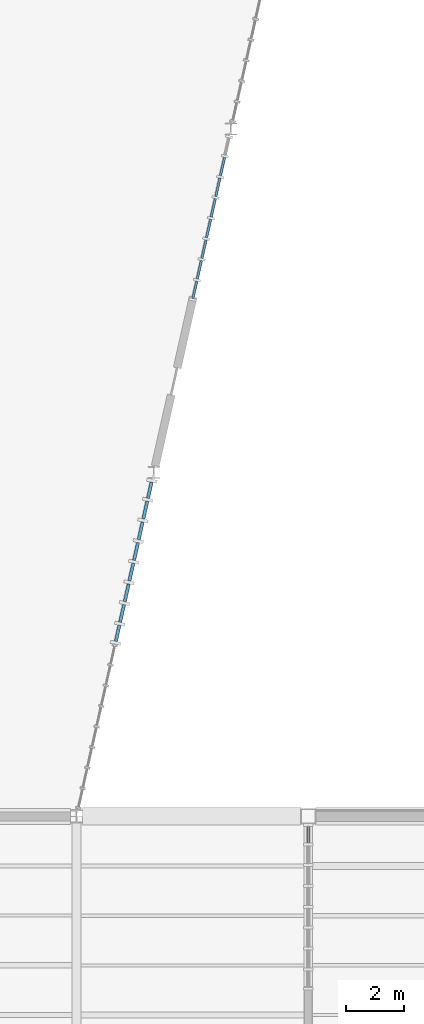
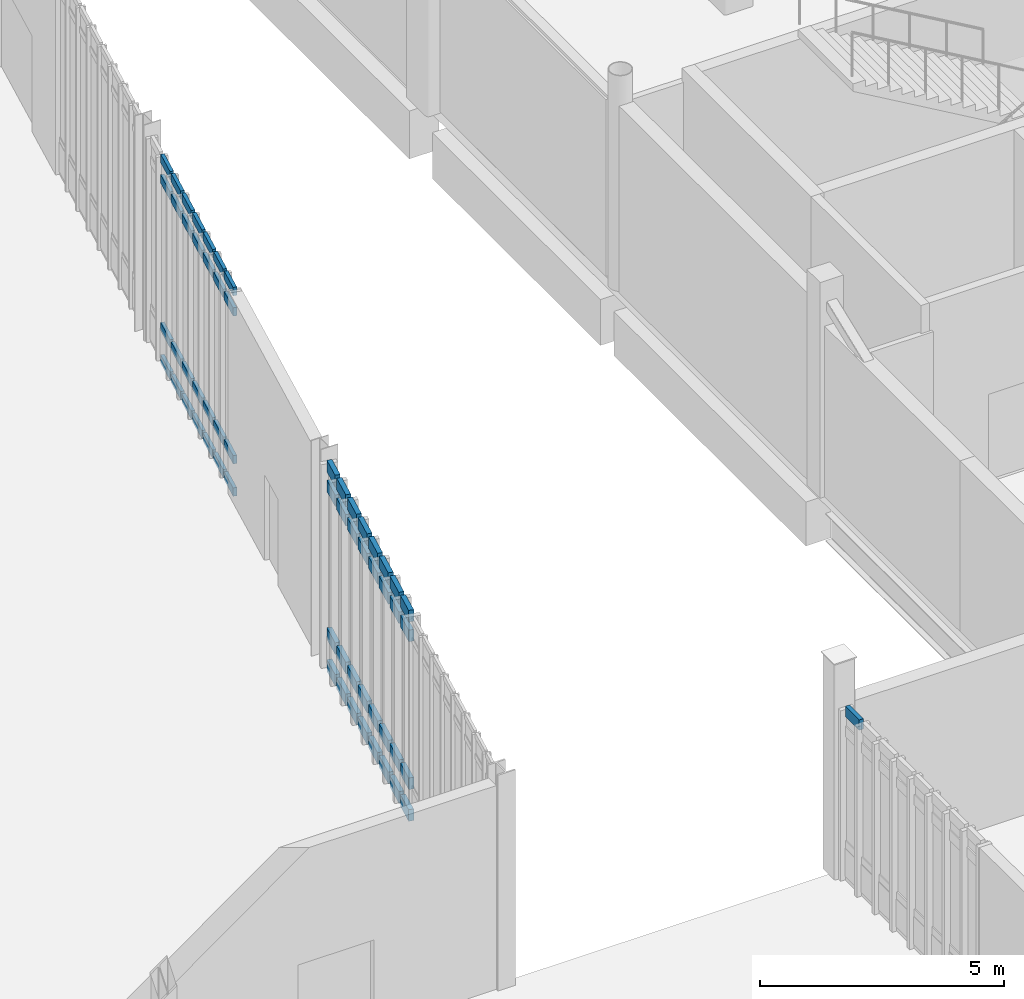
# One storey, part 46 of 111: 61 members, 3 elements without a shape of their own.
"""IFC4 building model written with IfcOpenShell, lengths in metres."""

from ifc_helpers import new_model, si_unit, direction, frame, origin, origin_2d, place, context, subcontext, project, spatial, rectangle, extrude, material, material_profile, profile_set, type_object, element, aggregate, save


model = new_model("IFC4")

# Units and contexts
model_context = context("Model", 3, precision=1e-05, world=origin(), true_north=direction((0.0, 1.0)))
body_context = subcontext(model_context, "Body", "Model", "MODEL_VIEW")
ifc_project = project(units=[si_unit("LENGTHUNIT", "METRE"), si_unit("AREAUNIT", "SQUARE_METRE"), si_unit("VOLUMEUNIT", "CUBIC_METRE"), si_unit("PLANEANGLEUNIT", "RADIAN"), si_unit("MASSUNIT", "GRAM", prefix="KILO")], contexts=[model_context])

# Site, building, storey
site_placement = place(None, origin())
site = spatial("IfcSite", under=ifc_project, at=site_placement, CompositionType="ELEMENT")
building_placement = place(site_placement, origin())
building = spatial("IfcBuilding", under=site, at=building_placement, Name="Larkvane Passage Sports Hall", CompositionType="ELEMENT")
storey_placement = place(building_placement, origin())
storey = spatial("IfcBuildingStorey", under=building, at=storey_placement, Name="L00", CompositionType="ELEMENT", Elevation=0.0)

# Curtain wall, member
ifc_material_1 = material(Name="Thermally broken aluminium and low-E glazing", Category="aluminium")
curtain_wall_type_1 = type_object("IfcCurtainWallType", Name="CW-CLINIC", PredefinedType="USERDEFINED", material=ifc_material_1)
curtain_wall_1_placement = place(storey_placement, origin())
curtain_wall_1 = element("IfcCurtainWall", 1, at=curtain_wall_1_placement, inside=storey, type_object=curtain_wall_type_1, Name="Curtain wall CW5-L00-019", ObjectType="UNITISED CURTAIN WALL", PredefinedType="USERDEFINED")
ifc_material_2 = material(Name="Anodised aluminium 6063-T6", Category="aluminium")
ifc_material_profile_1 = material_profile(ifc_material_2, rectangle(XDim=0.10009765625, YDim=0.260009765625, at=origin_2d()), Name="ALU-TRN-100x260")
ifc_profile_set_1 = profile_set([ifc_material_profile_1], Name="Anodised aluminium 6063-T6")
member_type_1 = type_object("IfcMemberType", Name="CW-TRN-100x260", PredefinedType="USERDEFINED", material=ifc_profile_set_1)
member_1_placement = place(storey_placement, frame((118.0, 62.684814453125, 4.218017578125), z_axis=(0.0, 1.0, 0.0), x_axis=(-1.0, 0.0, 0.0)))
member_1 = element("IfcMember", 2, at=member_1_placement, type_object=member_type_1, Name="CW-05 transom 8.4", ObjectType="TRANSOM", PredefinedType="USERDEFINED", context=body_context, shape_type="SweptSolid", body=[
    extrude(rectangle(XDim=0.10009765625, YDim=0.260009765625, at=origin_2d()), origin(), (0.0, 0.0, 1.0), 0.569091796875),
])
aggregate(curtain_wall_1, [member_1])

# Curtain wall, members
curtain_wall_2_placement = place(storey_placement, origin())
curtain_wall_2 = element("IfcCurtainWall", 3, at=curtain_wall_2_placement, inside=storey, type_object=curtain_wall_type_1, Name="Curtain wall CW5-L00-015", ObjectType="UNITISED CURTAIN WALL", PredefinedType="USERDEFINED")
ifc_material_profile_2 = material_profile(ifc_material_2, rectangle(XDim=0.110107421875, YDim=0.2900390625, at=origin_2d()), Name="ALU-TRN-110x290")
ifc_profile_set_2 = profile_set([ifc_material_profile_2], Name="Anodised aluminium 6063-T6")
member_type_2 = type_object("IfcMemberType", Name="CW-TRN-110x290", PredefinedType="USERDEFINED", material=ifc_profile_set_2)
member_2_placement = place(storey_placement, frame((112.591796875, 75.134033203125, 0.054931640625), z_axis=(-0.219122147199, -0.97569743497, 0.0), x_axis=(0.97569743497, -0.219122147199, 0.0)))
member_2 = element("IfcMember", 4, at=member_2_placement, type_object=member_type_2, Name="CW-05 transom 1.1", ObjectType="TRANSOM", PredefinedType="USERDEFINED", context=body_context, shape_type="SweptSolid", body=[
    extrude(rectangle(XDim=0.110107421875, YDim=0.2900390625, at=origin_2d()), origin(), (0.0, 0.0, 1.0), 0.56591796875),
])
member_3_placement = place(storey_placement, frame((112.591796875, 75.134033203125, 0.85009765625), z_axis=(-0.219122147199, -0.97569743497, 0.0), x_axis=(0.97569743497, -0.219122147199, 0.0)))
member_3 = element("IfcMember", 5, at=member_3_placement, type_object=member_type_2, Name="CW-05 transom 1.2", ObjectType="TRANSOM", PredefinedType="USERDEFINED", context=body_context, shape_type="SweptSolid", body=[
    extrude(rectangle(XDim=0.110107421875, YDim=0.2900390625, at=origin_2d()), origin(), (0.0, 0.0, 1.0), 0.56591796875),
])
member_4_placement = place(storey_placement, frame((112.591796875, 75.134033203125, 4.550048828125), z_axis=(-0.219122147199, -0.97569743497, 0.0), x_axis=(0.97569743497, -0.219122147199, 0.0)))
member_4 = element("IfcMember", 6, at=member_4_placement, type_object=member_type_2, Name="CW-05 transom 1.3", ObjectType="TRANSOM", PredefinedType="USERDEFINED", context=body_context, shape_type="SweptSolid", body=[
    extrude(rectangle(XDim=0.110107421875, YDim=0.2900390625, at=origin_2d()), origin(), (0.0, 0.0, 1.0), 0.56591796875),
])
member_5_placement = place(storey_placement, frame((112.591796875, 75.134033203125, 5.044921875), z_axis=(-0.219122147199, -0.97569743497, 0.0), x_axis=(0.97569743497, -0.219122147199, 0.0)))
member_5 = element("IfcMember", 7, at=member_5_placement, type_object=member_type_2, Name="CW-05 transom 1.4", ObjectType="TRANSOM", PredefinedType="USERDEFINED", context=body_context, shape_type="SweptSolid", body=[
    extrude(rectangle(XDim=0.110107421875, YDim=0.2900390625, at=origin_2d()), origin(), (0.0, 0.0, 1.0), 0.56591796875),
])
member_6_placement = place(storey_placement, frame((112.443603515625, 74.474365234375, 0.054931640625), z_axis=(-0.218969599767, -0.975731681549, 0.0), x_axis=(0.975731681549, -0.218969599767, 0.0)))
member_6 = element("IfcMember", 8, at=member_6_placement, type_object=member_type_2, Name="CW-05 transom 2.1", ObjectType="TRANSOM", PredefinedType="USERDEFINED", context=body_context, shape_type="SweptSolid", body=[
    extrude(rectangle(XDim=0.110107421875, YDim=0.2900390625, at=origin_2d()), origin(), (0.0, 0.0, 1.0), 0.62109375),
])
member_7_placement = place(storey_placement, frame((112.443603515625, 74.474365234375, 0.85009765625), z_axis=(-0.218969599767, -0.975731681549, 0.0), x_axis=(0.975731681549, -0.218969599767, 0.0)))
member_7 = element("IfcMember", 9, at=member_7_placement, type_object=member_type_2, Name="CW-05 transom 2.2", ObjectType="TRANSOM", PredefinedType="USERDEFINED", context=body_context, shape_type="SweptSolid", body=[
    extrude(rectangle(XDim=0.110107421875, YDim=0.2900390625, at=origin_2d()), origin(), (0.0, 0.0, 1.0), 0.62109375),
])
member_8_placement = place(storey_placement, frame((112.443603515625, 74.474365234375, 4.550048828125), z_axis=(-0.218969599767, -0.975731681549, 0.0), x_axis=(0.975731681549, -0.218969599767, 0.0)))
member_8 = element("IfcMember", 10, at=member_8_placement, type_object=member_type_2, Name="CW-05 transom 2.3", ObjectType="TRANSOM", PredefinedType="USERDEFINED", context=body_context, shape_type="SweptSolid", body=[
    extrude(rectangle(XDim=0.110107421875, YDim=0.2900390625, at=origin_2d()), origin(), (0.0, 0.0, 1.0), 0.62109375),
])
member_9_placement = place(storey_placement, frame((112.443603515625, 74.474365234375, 5.044921875), z_axis=(-0.218969599767, -0.975731681549, 0.0), x_axis=(0.975731681549, -0.218969599767, 0.0)))
member_9 = element("IfcMember", 11, at=member_9_placement, type_object=member_type_2, Name="CW-05 transom 2.4", ObjectType="TRANSOM", PredefinedType="USERDEFINED", context=body_context, shape_type="SweptSolid", body=[
    extrude(rectangle(XDim=0.110107421875, YDim=0.2900390625, at=origin_2d()), origin(), (0.0, 0.0, 1.0), 0.62109375),
])
member_10_placement = place(storey_placement, frame((112.283447265625, 73.76123046875, 0.054931640625), z_axis=(-0.219343825232, -0.975647624059, 0.0), x_axis=(0.975647624059, -0.219343825232, 0.0)))
member_10 = element("IfcMember", 12, at=member_10_placement, type_object=member_type_2, Name="CW-05 transom 3.1", ObjectType="TRANSOM", PredefinedType="USERDEFINED", context=body_context, shape_type="SweptSolid", body=[
    extrude(rectangle(XDim=0.110107421875, YDim=0.2900390625, at=origin_2d()), origin(), (0.0, 0.0, 1.0), 0.62109375),
])
member_11_placement = place(storey_placement, frame((112.283447265625, 73.76123046875, 0.85009765625), z_axis=(-0.219343825232, -0.975647624059, 0.0), x_axis=(0.975647624059, -0.219343825232, 0.0)))
member_11 = element("IfcMember", 13, at=member_11_placement, type_object=member_type_2, Name="CW-05 transom 3.2", ObjectType="TRANSOM", PredefinedType="USERDEFINED", context=body_context, shape_type="SweptSolid", body=[
    extrude(rectangle(XDim=0.110107421875, YDim=0.2900390625, at=origin_2d()), origin(), (0.0, 0.0, 1.0), 0.62109375),
])
member_12_placement = place(storey_placement, frame((112.283447265625, 73.76123046875, 4.550048828125), z_axis=(-0.219343825232, -0.975647624059, 0.0), x_axis=(0.975647624059, -0.219343825232, 0.0)))
member_12 = element("IfcMember", 14, at=member_12_placement, type_object=member_type_2, Name="CW-05 transom 3.3", ObjectType="TRANSOM", PredefinedType="USERDEFINED", context=body_context, shape_type="SweptSolid", body=[
    extrude(rectangle(XDim=0.110107421875, YDim=0.2900390625, at=origin_2d()), origin(), (0.0, 0.0, 1.0), 0.62109375),
])
member_13_placement = place(storey_placement, frame((112.283447265625, 73.76123046875, 5.044921875), z_axis=(-0.219343825232, -0.975647624059, 0.0), x_axis=(0.975647624059, -0.219343825232, 0.0)))
member_13 = element("IfcMember", 15, at=member_13_placement, type_object=member_type_2, Name="CW-05 transom 3.4", ObjectType="TRANSOM", PredefinedType="USERDEFINED", context=body_context, shape_type="SweptSolid", body=[
    extrude(rectangle(XDim=0.110107421875, YDim=0.2900390625, at=origin_2d()), origin(), (0.0, 0.0, 1.0), 0.62109375),
])
member_14_placement = place(storey_placement, frame((112.123046875, 73.0478515625, 0.054931640625), z_axis=(-0.218969599767, -0.975731681549, 0.0), x_axis=(0.975731681549, -0.218969599767, 0.0)))
member_14 = element("IfcMember", 16, at=member_14_placement, type_object=member_type_2, Name="CW-05 transom 4.1", ObjectType="TRANSOM", PredefinedType="USERDEFINED", context=body_context, shape_type="SweptSolid", body=[
    extrude(rectangle(XDim=0.110107421875, YDim=0.2900390625, at=origin_2d()), origin(), (0.0, 0.0, 1.0), 0.62109375),
])
member_15_placement = place(storey_placement, frame((112.123046875, 73.0478515625, 0.85009765625), z_axis=(-0.218969599767, -0.975731681549, 0.0), x_axis=(0.975731681549, -0.218969599767, 0.0)))
member_15 = element("IfcMember", 17, at=member_15_placement, type_object=member_type_2, Name="CW-05 transom 4.2", ObjectType="TRANSOM", PredefinedType="USERDEFINED", context=body_context, shape_type="SweptSolid", body=[
    extrude(rectangle(XDim=0.110107421875, YDim=0.2900390625, at=origin_2d()), origin(), (0.0, 0.0, 1.0), 0.62109375),
])
member_16_placement = place(storey_placement, frame((112.123046875, 73.0478515625, 4.550048828125), z_axis=(-0.218969599767, -0.975731681549, 0.0), x_axis=(0.975731681549, -0.218969599767, 0.0)))
member_16 = element("IfcMember", 18, at=member_16_placement, type_object=member_type_2, Name="CW-05 transom 4.3", ObjectType="TRANSOM", PredefinedType="USERDEFINED", context=body_context, shape_type="SweptSolid", body=[
    extrude(rectangle(XDim=0.110107421875, YDim=0.2900390625, at=origin_2d()), origin(), (0.0, 0.0, 1.0), 0.62109375),
])
member_17_placement = place(storey_placement, frame((112.123046875, 73.0478515625, 5.044921875), z_axis=(-0.218969599767, -0.975731681549, 0.0), x_axis=(0.975731681549, -0.218969599767, 0.0)))
member_17 = element("IfcMember", 19, at=member_17_placement, type_object=member_type_2, Name="CW-05 transom 4.4", ObjectType="TRANSOM", PredefinedType="USERDEFINED", context=body_context, shape_type="SweptSolid", body=[
    extrude(rectangle(XDim=0.110107421875, YDim=0.2900390625, at=origin_2d()), origin(), (0.0, 0.0, 1.0), 0.62109375),
])
member_18_placement = place(storey_placement, frame((111.962890625, 72.334716796875, 0.054931640625), z_axis=(-0.219343825232, -0.975647624059, 0.0), x_axis=(0.975647624059, -0.219343825232, 0.0)))
member_18 = element("IfcMember", 20, at=member_18_placement, type_object=member_type_2, Name="CW-05 transom 5.1", ObjectType="TRANSOM", PredefinedType="USERDEFINED", context=body_context, shape_type="SweptSolid", body=[
    extrude(rectangle(XDim=0.110107421875, YDim=0.2900390625, at=origin_2d()), origin(), (0.0, 0.0, 1.0), 0.62109375),
])
member_19_placement = place(storey_placement, frame((111.962890625, 72.334716796875, 0.85009765625), z_axis=(-0.219343825232, -0.975647624059, 0.0), x_axis=(0.975647624059, -0.219343825232, 0.0)))
member_19 = element("IfcMember", 21, at=member_19_placement, type_object=member_type_2, Name="CW-05 transom 5.2", ObjectType="TRANSOM", PredefinedType="USERDEFINED", context=body_context, shape_type="SweptSolid", body=[
    extrude(rectangle(XDim=0.110107421875, YDim=0.2900390625, at=origin_2d()), origin(), (0.0, 0.0, 1.0), 0.62109375),
])
member_20_placement = place(storey_placement, frame((111.962890625, 72.334716796875, 4.550048828125), z_axis=(-0.219343825232, -0.975647624059, 0.0), x_axis=(0.975647624059, -0.219343825232, 0.0)))
member_20 = element("IfcMember", 22, at=member_20_placement, type_object=member_type_2, Name="CW-05 transom 5.3", ObjectType="TRANSOM", PredefinedType="USERDEFINED", context=body_context, shape_type="SweptSolid", body=[
    extrude(rectangle(XDim=0.110107421875, YDim=0.2900390625, at=origin_2d()), origin(), (0.0, 0.0, 1.0), 0.62109375),
])
member_21_placement = place(storey_placement, frame((111.962890625, 72.334716796875, 5.044921875), z_axis=(-0.219343825232, -0.975647624059, 0.0), x_axis=(0.975647624059, -0.219343825232, 0.0)))
member_21 = element("IfcMember", 23, at=member_21_placement, type_object=member_type_2, Name="CW-05 transom 5.4", ObjectType="TRANSOM", PredefinedType="USERDEFINED", context=body_context, shape_type="SweptSolid", body=[
    extrude(rectangle(XDim=0.110107421875, YDim=0.2900390625, at=origin_2d()), origin(), (0.0, 0.0, 1.0), 0.62109375),
])
member_22_placement = place(storey_placement, frame((111.802490234375, 71.621337890625, 0.054931640625), z_axis=(-0.218969599767, -0.975731681549, 0.0), x_axis=(0.975731681549, -0.218969599767, 0.0)))
member_22 = element("IfcMember", 24, at=member_22_placement, type_object=member_type_2, Name="CW-05 transom 6.1", ObjectType="TRANSOM", PredefinedType="USERDEFINED", context=body_context, shape_type="SweptSolid", body=[
    extrude(rectangle(XDim=0.110107421875, YDim=0.2900390625, at=origin_2d()), origin(), (0.0, 0.0, 1.0), 0.62109375),
])
member_23_placement = place(storey_placement, frame((111.802490234375, 71.621337890625, 0.85009765625), z_axis=(-0.218969599767, -0.975731681549, 0.0), x_axis=(0.975731681549, -0.218969599767, 0.0)))
member_23 = element("IfcMember", 25, at=member_23_placement, type_object=member_type_2, Name="CW-05 transom 6.2", ObjectType="TRANSOM", PredefinedType="USERDEFINED", context=body_context, shape_type="SweptSolid", body=[
    extrude(rectangle(XDim=0.110107421875, YDim=0.2900390625, at=origin_2d()), origin(), (0.0, 0.0, 1.0), 0.62109375),
])
member_24_placement = place(storey_placement, frame((111.802490234375, 71.621337890625, 4.550048828125), z_axis=(-0.218969599767, -0.975731681549, 0.0), x_axis=(0.975731681549, -0.218969599767, 0.0)))
member_24 = element("IfcMember", 26, at=member_24_placement, type_object=member_type_2, Name="CW-05 transom 6.3", ObjectType="TRANSOM", PredefinedType="USERDEFINED", context=body_context, shape_type="SweptSolid", body=[
    extrude(rectangle(XDim=0.110107421875, YDim=0.2900390625, at=origin_2d()), origin(), (0.0, 0.0, 1.0), 0.62109375),
])
member_25_placement = place(storey_placement, frame((111.802490234375, 71.621337890625, 5.044921875), z_axis=(-0.218969599767, -0.975731681549, 0.0), x_axis=(0.975731681549, -0.218969599767, 0.0)))
member_25 = element("IfcMember", 27, at=member_25_placement, type_object=member_type_2, Name="CW-05 transom 6.4", ObjectType="TRANSOM", PredefinedType="USERDEFINED", context=body_context, shape_type="SweptSolid", body=[
    extrude(rectangle(XDim=0.110107421875, YDim=0.2900390625, at=origin_2d()), origin(), (0.0, 0.0, 1.0), 0.62109375),
])
member_26_placement = place(storey_placement, frame((111.642333984375, 70.908203125, 0.054931640625), z_axis=(-0.219343825232, -0.975647624059, 0.0), x_axis=(0.975647624059, -0.219343825232, 0.0)))
member_26 = element("IfcMember", 28, at=member_26_placement, type_object=member_type_2, Name="CW-05 transom 7.1", ObjectType="TRANSOM", PredefinedType="USERDEFINED", context=body_context, shape_type="SweptSolid", body=[
    extrude(rectangle(XDim=0.110107421875, YDim=0.2900390625, at=origin_2d()), origin(), (0.0, 0.0, 1.0), 0.62109375),
])
member_27_placement = place(storey_placement, frame((111.642333984375, 70.908203125, 0.85009765625), z_axis=(-0.219343825232, -0.975647624059, 0.0), x_axis=(0.975647624059, -0.219343825232, 0.0)))
member_27 = element("IfcMember", 29, at=member_27_placement, type_object=member_type_2, Name="CW-05 transom 7.2", ObjectType="TRANSOM", PredefinedType="USERDEFINED", context=body_context, shape_type="SweptSolid", body=[
    extrude(rectangle(XDim=0.110107421875, YDim=0.2900390625, at=origin_2d()), origin(), (0.0, 0.0, 1.0), 0.62109375),
])
member_28_placement = place(storey_placement, frame((111.642333984375, 70.908203125, 4.550048828125), z_axis=(-0.219343825232, -0.975647624059, 0.0), x_axis=(0.975647624059, -0.219343825232, 0.0)))
member_28 = element("IfcMember", 30, at=member_28_placement, type_object=member_type_2, Name="CW-05 transom 7.3", ObjectType="TRANSOM", PredefinedType="USERDEFINED", context=body_context, shape_type="SweptSolid", body=[
    extrude(rectangle(XDim=0.110107421875, YDim=0.2900390625, at=origin_2d()), origin(), (0.0, 0.0, 1.0), 0.62109375),
])
member_29_placement = place(storey_placement, frame((111.642333984375, 70.908203125, 5.044921875), z_axis=(-0.219343825232, -0.975647624059, 0.0), x_axis=(0.975647624059, -0.219343825232, 0.0)))
member_29 = element("IfcMember", 31, at=member_29_placement, type_object=member_type_2, Name="CW-05 transom 7.4", ObjectType="TRANSOM", PredefinedType="USERDEFINED", context=body_context, shape_type="SweptSolid", body=[
    extrude(rectangle(XDim=0.110107421875, YDim=0.2900390625, at=origin_2d()), origin(), (0.0, 0.0, 1.0), 0.62109375),
])
member_30_placement = place(storey_placement, frame((111.48193359375, 70.19482421875, 0.054931640625), z_axis=(-0.219122147199, -0.97569743497, 0.0), x_axis=(0.97569743497, -0.219122147199, 0.0)))
member_30 = element("IfcMember", 32, at=member_30_placement, type_object=member_type_2, Name="CW-05 transom 8.1", ObjectType="TRANSOM", PredefinedType="USERDEFINED", context=body_context, shape_type="SweptSolid", body=[
    extrude(rectangle(XDim=0.110107421875, YDim=0.2900390625, at=origin_2d()), origin(), (0.0, 0.0, 1.0), 0.56591796875),
])
member_31_placement = place(storey_placement, frame((111.48193359375, 70.19482421875, 0.85009765625), z_axis=(-0.219122147199, -0.97569743497, 0.0), x_axis=(0.97569743497, -0.219122147199, 0.0)))
member_31 = element("IfcMember", 33, at=member_31_placement, type_object=member_type_2, Name="CW-05 transom 8.2", ObjectType="TRANSOM", PredefinedType="USERDEFINED", context=body_context, shape_type="SweptSolid", body=[
    extrude(rectangle(XDim=0.110107421875, YDim=0.2900390625, at=origin_2d()), origin(), (0.0, 0.0, 1.0), 0.56591796875),
])
member_32_placement = place(storey_placement, frame((111.48193359375, 70.19482421875, 4.550048828125), z_axis=(-0.219122147199, -0.97569743497, 0.0), x_axis=(0.97569743497, -0.219122147199, 0.0)))
member_32 = element("IfcMember", 34, at=member_32_placement, type_object=member_type_2, Name="CW-05 transom 8.3", ObjectType="TRANSOM", PredefinedType="USERDEFINED", context=body_context, shape_type="SweptSolid", body=[
    extrude(rectangle(XDim=0.110107421875, YDim=0.2900390625, at=origin_2d()), origin(), (0.0, 0.0, 1.0), 0.56591796875),
])
member_33_placement = place(storey_placement, frame((111.48193359375, 70.19482421875, 5.044921875), z_axis=(-0.219122147199, -0.97569743497, 0.0), x_axis=(0.97569743497, -0.219122147199, 0.0)))
member_33 = element("IfcMember", 35, at=member_33_placement, type_object=member_type_2, Name="CW-05 transom 8.4", ObjectType="TRANSOM", PredefinedType="USERDEFINED", context=body_context, shape_type="SweptSolid", body=[
    extrude(rectangle(XDim=0.110107421875, YDim=0.2900390625, at=origin_2d()), origin(), (0.0, 0.0, 1.0), 0.56591796875),
])
aggregate(curtain_wall_2, [member_2, member_3, member_4, member_5, member_6, member_7, member_8, member_9, member_10, member_11, member_12, member_13, member_14, member_15, member_16, member_17, member_18, member_19, member_20, member_21, member_22, member_23, member_24, member_25, member_26, member_27, member_28, member_29, member_30, member_31, member_32, member_33])

curtain_wall_type_2 = type_object("IfcCurtainWallType", Name="CW-STICK-FOYER", PredefinedType="USERDEFINED", material=ifc_material_1)
curtain_wall_3_placement = place(storey_placement, origin())
curtain_wall_3 = element("IfcCurtainWall", 36, at=curtain_wall_3_placement, inside=storey, type_object=curtain_wall_type_2, Name="Curtain wall CW5-L00-014", ObjectType="STICK CURTAIN WALL", PredefinedType="USERDEFINED")
ifc_material_profile_3 = material_profile(ifc_material_2, rectangle(XDim=0.080078125, YDim=0.2099609375, at=origin_2d()), Name="ALU-TRN-80x210")
ifc_profile_set_3 = profile_set([ifc_material_profile_3], Name="Anodised aluminium 6063-T6")
member_type_3 = type_object("IfcMemberType", Name="CW-TRN-80x210", PredefinedType="USERDEFINED", material=ifc_profile_set_3)
member_34_placement = place(storey_placement, frame((115.112060546875, 86.3486328125, 0.0400390625), z_axis=(-0.219235268051, -0.975672023399, 0.0), x_axis=(0.975672023399, -0.219235268051, 0.0)))
member_34 = element("IfcMember", 37, at=member_34_placement, type_object=member_type_3, Name="CW-03 transom 2.1", ObjectType="TRANSOM", PredefinedType="USERDEFINED", context=body_context, shape_type="SweptSolid", body=[
    extrude(rectangle(XDim=0.080078125, YDim=0.2099609375, at=origin_2d()), origin(), (0.0, 0.0, 1.0), 0.650390625),
])
member_35_placement = place(storey_placement, frame((115.112060546875, 86.3486328125, 0.85009765625), z_axis=(-0.219235268051, -0.975672023399, 0.0), x_axis=(0.975672023399, -0.219235268051, 0.0)))
member_35 = element("IfcMember", 38, at=member_35_placement, type_object=member_type_3, Name="CW-03 transom 2.2", ObjectType="TRANSOM", PredefinedType="USERDEFINED", context=body_context, shape_type="SweptSolid", body=[
    extrude(rectangle(XDim=0.080078125, YDim=0.2099609375, at=origin_2d()), origin(), (0.0, 0.0, 1.0), 0.650390625),
])
member_36_placement = place(storey_placement, frame((115.112060546875, 86.3486328125, 4.550048828125), z_axis=(-0.219235268051, -0.975672023399, 0.0), x_axis=(0.975672023399, -0.219235268051, 0.0)))
member_36 = element("IfcMember", 39, at=member_36_placement, type_object=member_type_3, Name="CW-03 transom 2.3", ObjectType="TRANSOM", PredefinedType="USERDEFINED", context=body_context, shape_type="SweptSolid", body=[
    extrude(rectangle(XDim=0.080078125, YDim=0.2099609375, at=origin_2d()), origin(), (0.0, 0.0, 1.0), 0.650390625),
])
member_37_placement = place(storey_placement, frame((115.112060546875, 86.3486328125, 5.06005859375), z_axis=(-0.219235268051, -0.975672023399, 0.0), x_axis=(0.975672023399, -0.219235268051, 0.0)))
member_37 = element("IfcMember", 40, at=member_37_placement, type_object=member_type_3, Name="CW-03 transom 2.4", ObjectType="TRANSOM", PredefinedType="USERDEFINED", context=body_context, shape_type="SweptSolid", body=[
    extrude(rectangle(XDim=0.080078125, YDim=0.2099609375, at=origin_2d()), origin(), (0.0, 0.0, 1.0), 0.650390625),
])
member_38_placement = place(storey_placement, frame((114.951904296875, 85.63623046875, 0.0400390625), z_axis=(-0.219235268051, -0.975672023399, 0.0), x_axis=(0.975672023399, -0.219235268051, 0.0)))
member_38 = element("IfcMember", 41, at=member_38_placement, type_object=member_type_3, Name="CW-03 transom 3.1", ObjectType="TRANSOM", PredefinedType="USERDEFINED", context=body_context, shape_type="SweptSolid", body=[
    extrude(rectangle(XDim=0.080078125, YDim=0.2099609375, at=origin_2d()), origin(), (0.0, 0.0, 1.0), 0.650390625),
])
member_39_placement = place(storey_placement, frame((114.951904296875, 85.63623046875, 0.85009765625), z_axis=(-0.219235268051, -0.975672023399, 0.0), x_axis=(0.975672023399, -0.219235268051, 0.0)))
member_39 = element("IfcMember", 42, at=member_39_placement, type_object=member_type_3, Name="CW-03 transom 3.2", ObjectType="TRANSOM", PredefinedType="USERDEFINED", context=body_context, shape_type="SweptSolid", body=[
    extrude(rectangle(XDim=0.080078125, YDim=0.2099609375, at=origin_2d()), origin(), (0.0, 0.0, 1.0), 0.650390625),
])
member_40_placement = place(storey_placement, frame((114.951904296875, 85.63623046875, 4.550048828125), z_axis=(-0.219235268051, -0.975672023399, 0.0), x_axis=(0.975672023399, -0.219235268051, 0.0)))
member_40 = element("IfcMember", 43, at=member_40_placement, type_object=member_type_3, Name="CW-03 transom 3.3", ObjectType="TRANSOM", PredefinedType="USERDEFINED", context=body_context, shape_type="SweptSolid", body=[
    extrude(rectangle(XDim=0.080078125, YDim=0.2099609375, at=origin_2d()), origin(), (0.0, 0.0, 1.0), 0.650390625),
])
member_41_placement = place(storey_placement, frame((114.951904296875, 85.63623046875, 5.06005859375), z_axis=(-0.219235268051, -0.975672023399, 0.0), x_axis=(0.975672023399, -0.219235268051, 0.0)))
member_41 = element("IfcMember", 44, at=member_41_placement, type_object=member_type_3, Name="CW-03 transom 3.4", ObjectType="TRANSOM", PredefinedType="USERDEFINED", context=body_context, shape_type="SweptSolid", body=[
    extrude(rectangle(XDim=0.080078125, YDim=0.2099609375, at=origin_2d()), origin(), (0.0, 0.0, 1.0), 0.650390625),
])
member_42_placement = place(storey_placement, frame((114.791748046875, 84.923583984375, 0.0400390625), z_axis=(-0.219235268051, -0.975672023399, 0.0), x_axis=(0.975672023399, -0.219235268051, 0.0)))
member_42 = element("IfcMember", 45, at=member_42_placement, type_object=member_type_3, Name="CW-03 transom 4.1", ObjectType="TRANSOM", PredefinedType="USERDEFINED", context=body_context, shape_type="SweptSolid", body=[
    extrude(rectangle(XDim=0.080078125, YDim=0.2099609375, at=origin_2d()), origin(), (0.0, 0.0, 1.0), 0.650390625),
])
member_43_placement = place(storey_placement, frame((114.791748046875, 84.923583984375, 0.85009765625), z_axis=(-0.219235268051, -0.975672023399, 0.0), x_axis=(0.975672023399, -0.219235268051, 0.0)))
member_43 = element("IfcMember", 46, at=member_43_placement, type_object=member_type_3, Name="CW-03 transom 4.2", ObjectType="TRANSOM", PredefinedType="USERDEFINED", context=body_context, shape_type="SweptSolid", body=[
    extrude(rectangle(XDim=0.080078125, YDim=0.2099609375, at=origin_2d()), origin(), (0.0, 0.0, 1.0), 0.650390625),
])
member_44_placement = place(storey_placement, frame((114.791748046875, 84.923583984375, 4.550048828125), z_axis=(-0.219235268051, -0.975672023399, 0.0), x_axis=(0.975672023399, -0.219235268051, 0.0)))
member_44 = element("IfcMember", 47, at=member_44_placement, type_object=member_type_3, Name="CW-03 transom 4.3", ObjectType="TRANSOM", PredefinedType="USERDEFINED", context=body_context, shape_type="SweptSolid", body=[
    extrude(rectangle(XDim=0.080078125, YDim=0.2099609375, at=origin_2d()), origin(), (0.0, 0.0, 1.0), 0.650390625),
])
member_45_placement = place(storey_placement, frame((114.791748046875, 84.923583984375, 5.06005859375), z_axis=(-0.219235268051, -0.975672023399, 0.0), x_axis=(0.975672023399, -0.219235268051, 0.0)))
member_45 = element("IfcMember", 48, at=member_45_placement, type_object=member_type_3, Name="CW-03 transom 4.4", ObjectType="TRANSOM", PredefinedType="USERDEFINED", context=body_context, shape_type="SweptSolid", body=[
    extrude(rectangle(XDim=0.080078125, YDim=0.2099609375, at=origin_2d()), origin(), (0.0, 0.0, 1.0), 0.650390625),
])
member_46_placement = place(storey_placement, frame((114.631591796875, 84.211181640625, 0.0400390625), z_axis=(-0.219235268051, -0.975672023399, 0.0), x_axis=(0.975672023399, -0.219235268051, 0.0)))
member_46 = element("IfcMember", 49, at=member_46_placement, type_object=member_type_3, Name="CW-03 transom 5.1", ObjectType="TRANSOM", PredefinedType="USERDEFINED", context=body_context, shape_type="SweptSolid", body=[
    extrude(rectangle(XDim=0.080078125, YDim=0.2099609375, at=origin_2d()), origin(), (0.0, 0.0, 1.0), 0.650390625),
])
member_47_placement = place(storey_placement, frame((114.631591796875, 84.211181640625, 0.85009765625), z_axis=(-0.219235268051, -0.975672023399, 0.0), x_axis=(0.975672023399, -0.219235268051, 0.0)))
member_47 = element("IfcMember", 50, at=member_47_placement, type_object=member_type_3, Name="CW-03 transom 5.2", ObjectType="TRANSOM", PredefinedType="USERDEFINED", context=body_context, shape_type="SweptSolid", body=[
    extrude(rectangle(XDim=0.080078125, YDim=0.2099609375, at=origin_2d()), origin(), (0.0, 0.0, 1.0), 0.650390625),
])
member_48_placement = place(storey_placement, frame((114.631591796875, 84.211181640625, 4.550048828125), z_axis=(-0.219235268051, -0.975672023399, 0.0), x_axis=(0.975672023399, -0.219235268051, 0.0)))
member_48 = element("IfcMember", 51, at=member_48_placement, type_object=member_type_3, Name="CW-03 transom 5.3", ObjectType="TRANSOM", PredefinedType="USERDEFINED", context=body_context, shape_type="SweptSolid", body=[
    extrude(rectangle(XDim=0.080078125, YDim=0.2099609375, at=origin_2d()), origin(), (0.0, 0.0, 1.0), 0.650390625),
])
member_49_placement = place(storey_placement, frame((114.631591796875, 84.211181640625, 5.06005859375), z_axis=(-0.219235268051, -0.975672023399, 0.0), x_axis=(0.975672023399, -0.219235268051, 0.0)))
member_49 = element("IfcMember", 52, at=member_49_placement, type_object=member_type_3, Name="CW-03 transom 5.4", ObjectType="TRANSOM", PredefinedType="USERDEFINED", context=body_context, shape_type="SweptSolid", body=[
    extrude(rectangle(XDim=0.080078125, YDim=0.2099609375, at=origin_2d()), origin(), (0.0, 0.0, 1.0), 0.650390625),
])
member_50_placement = place(storey_placement, frame((114.4716796875, 83.49853515625, 0.0400390625), z_axis=(-0.219235268051, -0.975672023399, 0.0), x_axis=(0.975672023399, -0.219235268051, 0.0)))
member_50 = element("IfcMember", 53, at=member_50_placement, type_object=member_type_3, Name="CW-03 transom 6.1", ObjectType="TRANSOM", PredefinedType="USERDEFINED", context=body_context, shape_type="SweptSolid", body=[
    extrude(rectangle(XDim=0.080078125, YDim=0.2099609375, at=origin_2d()), origin(), (0.0, 0.0, 1.0), 0.650390625),
])
member_51_placement = place(storey_placement, frame((114.4716796875, 83.49853515625, 0.85009765625), z_axis=(-0.219235268051, -0.975672023399, 0.0), x_axis=(0.975672023399, -0.219235268051, 0.0)))
member_51 = element("IfcMember", 54, at=member_51_placement, type_object=member_type_3, Name="CW-03 transom 6.2", ObjectType="TRANSOM", PredefinedType="USERDEFINED", context=body_context, shape_type="SweptSolid", body=[
    extrude(rectangle(XDim=0.080078125, YDim=0.2099609375, at=origin_2d()), origin(), (0.0, 0.0, 1.0), 0.650390625),
])
member_52_placement = place(storey_placement, frame((114.4716796875, 83.49853515625, 4.550048828125), z_axis=(-0.219235268051, -0.975672023399, 0.0), x_axis=(0.975672023399, -0.219235268051, 0.0)))
member_52 = element("IfcMember", 55, at=member_52_placement, type_object=member_type_3, Name="CW-03 transom 6.3", ObjectType="TRANSOM", PredefinedType="USERDEFINED", context=body_context, shape_type="SweptSolid", body=[
    extrude(rectangle(XDim=0.080078125, YDim=0.2099609375, at=origin_2d()), origin(), (0.0, 0.0, 1.0), 0.650390625),
])
member_53_placement = place(storey_placement, frame((114.4716796875, 83.49853515625, 5.06005859375), z_axis=(-0.219235268051, -0.975672023399, 0.0), x_axis=(0.975672023399, -0.219235268051, 0.0)))
member_53 = element("IfcMember", 56, at=member_53_placement, type_object=member_type_3, Name="CW-03 transom 6.4", ObjectType="TRANSOM", PredefinedType="USERDEFINED", context=body_context, shape_type="SweptSolid", body=[
    extrude(rectangle(XDim=0.080078125, YDim=0.2099609375, at=origin_2d()), origin(), (0.0, 0.0, 1.0), 0.650390625),
])
member_54_placement = place(storey_placement, frame((114.3115234375, 82.7861328125, 0.0400390625), z_axis=(-0.219235268051, -0.975672023399, 0.0), x_axis=(0.975672023399, -0.219235268051, 0.0)))
member_54 = element("IfcMember", 57, at=member_54_placement, type_object=member_type_3, Name="CW-03 transom 7.1", ObjectType="TRANSOM", PredefinedType="USERDEFINED", context=body_context, shape_type="SweptSolid", body=[
    extrude(rectangle(XDim=0.080078125, YDim=0.2099609375, at=origin_2d()), origin(), (0.0, 0.0, 1.0), 0.650390625),
])
member_55_placement = place(storey_placement, frame((114.3115234375, 82.7861328125, 0.85009765625), z_axis=(-0.219235268051, -0.975672023399, 0.0), x_axis=(0.975672023399, -0.219235268051, 0.0)))
member_55 = element("IfcMember", 58, at=member_55_placement, type_object=member_type_3, Name="CW-03 transom 7.2", ObjectType="TRANSOM", PredefinedType="USERDEFINED", context=body_context, shape_type="SweptSolid", body=[
    extrude(rectangle(XDim=0.080078125, YDim=0.2099609375, at=origin_2d()), origin(), (0.0, 0.0, 1.0), 0.650390625),
])
member_56_placement = place(storey_placement, frame((114.3115234375, 82.7861328125, 4.550048828125), z_axis=(-0.219235268051, -0.975672023399, 0.0), x_axis=(0.975672023399, -0.219235268051, 0.0)))
member_56 = element("IfcMember", 59, at=member_56_placement, type_object=member_type_3, Name="CW-03 transom 7.3", ObjectType="TRANSOM", PredefinedType="USERDEFINED", context=body_context, shape_type="SweptSolid", body=[
    extrude(rectangle(XDim=0.080078125, YDim=0.2099609375, at=origin_2d()), origin(), (0.0, 0.0, 1.0), 0.650390625),
])
member_57_placement = place(storey_placement, frame((114.3115234375, 82.7861328125, 5.06005859375), z_axis=(-0.219235268051, -0.975672023399, 0.0), x_axis=(0.975672023399, -0.219235268051, 0.0)))
member_57 = element("IfcMember", 60, at=member_57_placement, type_object=member_type_3, Name="CW-03 transom 7.4", ObjectType="TRANSOM", PredefinedType="USERDEFINED", context=body_context, shape_type="SweptSolid", body=[
    extrude(rectangle(XDim=0.080078125, YDim=0.2099609375, at=origin_2d()), origin(), (0.0, 0.0, 1.0), 0.650390625),
])
member_58_placement = place(storey_placement, frame((114.1513671875, 82.073486328125, 0.0400390625), z_axis=(-0.219217099601, -0.975676105704, 0.0), x_axis=(0.975676105704, -0.219217099601, 0.0)))
member_58 = element("IfcMember", 61, at=member_58_placement, type_object=member_type_3, Name="CW-03 transom 8.1", ObjectType="TRANSOM", PredefinedType="USERDEFINED", context=body_context, shape_type="SweptSolid", body=[
    extrude(rectangle(XDim=0.080078125, YDim=0.2099609375, at=origin_2d()), origin(), (0.0, 0.0, 1.0), 0.6103515625),
])
member_59_placement = place(storey_placement, frame((114.1513671875, 82.073486328125, 0.85009765625), z_axis=(-0.219217099601, -0.975676105704, 0.0), x_axis=(0.975676105704, -0.219217099601, 0.0)))
member_59 = element("IfcMember", 62, at=member_59_placement, type_object=member_type_3, Name="CW-03 transom 8.2", ObjectType="TRANSOM", PredefinedType="USERDEFINED", context=body_context, shape_type="SweptSolid", body=[
    extrude(rectangle(XDim=0.080078125, YDim=0.2099609375, at=origin_2d()), origin(), (0.0, 0.0, 1.0), 0.6103515625),
])
member_60_placement = place(storey_placement, frame((114.1513671875, 82.073486328125, 4.550048828125), z_axis=(-0.219217099601, -0.975676105704, 0.0), x_axis=(0.975676105704, -0.219217099601, 0.0)))
member_60 = element("IfcMember", 63, at=member_60_placement, type_object=member_type_3, Name="CW-03 transom 8.3", ObjectType="TRANSOM", PredefinedType="USERDEFINED", context=body_context, shape_type="SweptSolid", body=[
    extrude(rectangle(XDim=0.080078125, YDim=0.2099609375, at=origin_2d()), origin(), (0.0, 0.0, 1.0), 0.6103515625),
])
member_61_placement = place(storey_placement, frame((114.1513671875, 82.073486328125, 5.06005859375), z_axis=(-0.219217099601, -0.975676105704, 0.0), x_axis=(0.975676105704, -0.219217099601, 0.0)))
member_61 = element("IfcMember", 64, at=member_61_placement, type_object=member_type_3, Name="CW-03 transom 8.4", ObjectType="TRANSOM", PredefinedType="USERDEFINED", context=body_context, shape_type="SweptSolid", body=[
    extrude(rectangle(XDim=0.080078125, YDim=0.2099609375, at=origin_2d()), origin(), (0.0, 0.0, 1.0), 0.6103515625),
])
aggregate(curtain_wall_3, [member_34, member_35, member_36, member_37, member_38, member_39, member_40, member_41, member_42, member_43, member_44, member_45, member_46, member_47, member_48, member_49, member_50, member_51, member_52, member_53, member_54, member_55, member_56, member_57, member_58, member_59, member_60, member_61])

save(model, "model.ifc")
